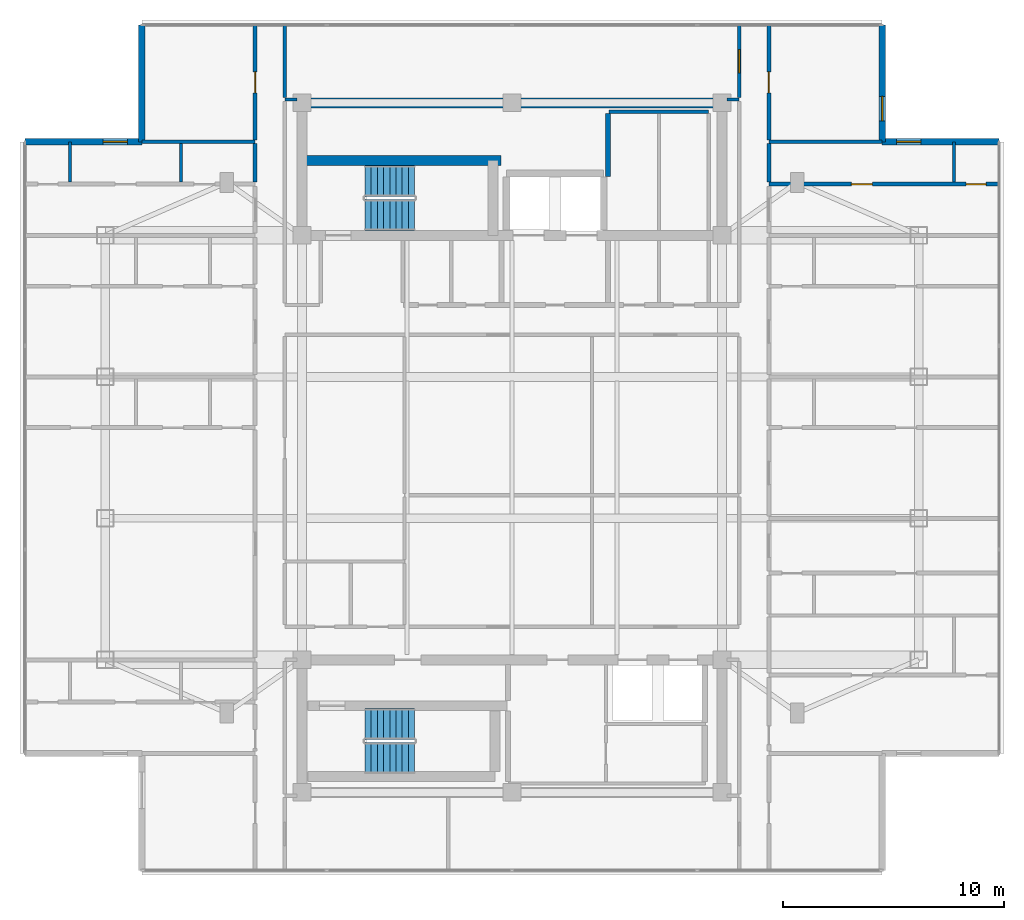
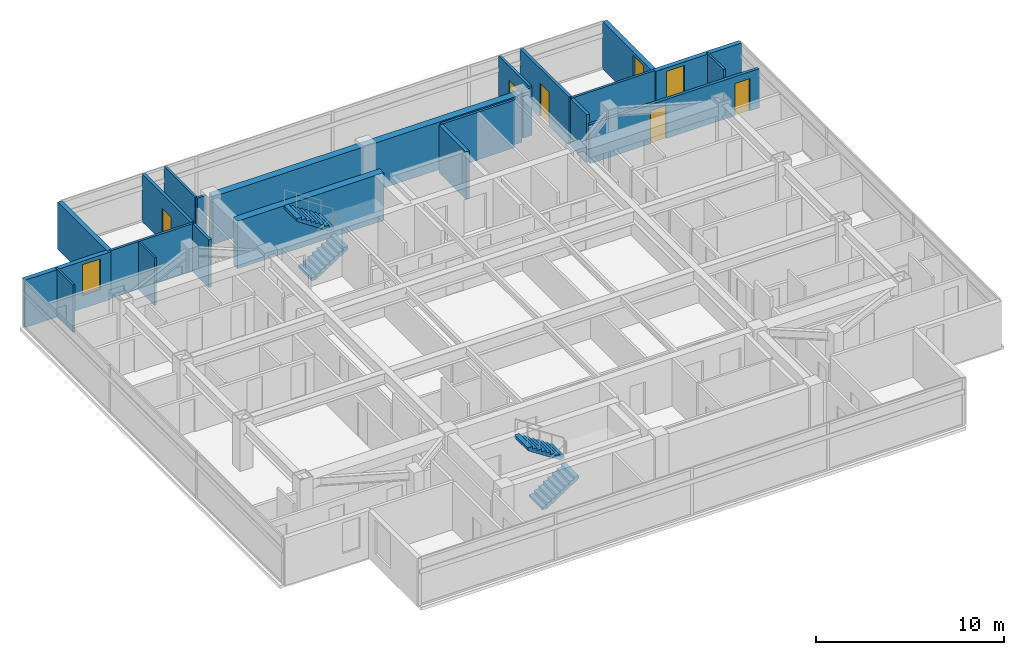
# One storey, part 11 of 14: 22 walls, 5 doors, 4 stair flights, 3 windows, 8 openings, 2 elements without a shape of their own.
"""IFC4 building model written with IfcOpenShell, lengths in metres."""

from ifc_helpers import new_model, si_unit, direction, frame, frame_2d, origin, place, context, subcontext, project, spatial, polyline, rectangle, outline, extrude, material, layer, layer_set, type_object, element, fill, aggregate, save


model = new_model("IFC4")

# Units and contexts
model_context = context("Model", 3, precision=1e-05, world=origin(), true_north=direction((0.0, 1.0)))
body_context = subcontext(model_context, "Body", "Model", "MODEL_VIEW")
ifc_project = project(units=[si_unit("LENGTHUNIT", "METRE"), si_unit("AREAUNIT", "SQUARE_METRE"), si_unit("VOLUMEUNIT", "CUBIC_METRE"), si_unit("PLANEANGLEUNIT", "RADIAN"), si_unit("MASSUNIT", "GRAM", prefix="KILO")], contexts=[model_context])

# Site, building, storey
site_placement = place(None, origin())
site = spatial("IfcSite", under=ifc_project, at=site_placement, CompositionType="ELEMENT")
building_placement = place(site_placement, origin())
building = spatial("IfcBuilding", under=site, at=building_placement, Name="Mirazonda Arch Towers", CompositionType="ELEMENT")
storey_placement = place(building_placement, frame((0.0, 0.0, 242.5)))
storey = spatial("IfcBuildingStorey", under=building, at=storey_placement, Name="L69", CompositionType="ELEMENT", Elevation=242.5)

# Walls
ifc_material_1 = material(Name="Concrete C50/60", Category="concrete")
ifc_layer_1 = layer(ifc_material_1, 0.449951171875, Name="WALL-CORE-450")
ifc_layer_set_1 = layer_set([ifc_layer_1], Name="Concrete C50/60")
wall_type_1 = type_object("IfcWallType", Name="WALL-CORE-450", PredefinedType="SHEAR", material=ifc_layer_set_1)
wall_1_placement = place(storey_placement, frame((11.0, 43.60009765625, 0.0), z_axis=(0.0, 0.0, 1.0), x_axis=(1.0, 0.0, 0.0)))
element("IfcWall", 1, at=wall_1_placement, inside=storey, type_object=wall_type_1, Name="L69 T1N-N Core Shear Wall", PredefinedType="SHEAR", context=body_context, shape_type="SweptSolid", body=[
    extrude(rectangle(XDim=19.0, YDim=0.449951171875, at=frame_2d((9.5, 0.0))), origin(), (0.0, 0.0, 1.0), 3.10009765625),
])
wall_2_placement = place(storey_placement, frame((11.0, 40.992919921875, 0.0), z_axis=(0.0, 0.0, 1.0), x_axis=(1.0, 0.0, 0.0)))
element("IfcWall", 2, at=wall_2_placement, inside=storey, type_object=wall_type_1, Name="L69 T1N-STN Core Shear Wall", PredefinedType="SHEAR", context=body_context, shape_type="SweptSolid", body=[
    extrude(rectangle(XDim=9.0, YDim=0.449951171875, at=frame_2d((4.5, 0.0))), origin(), (0.0, 0.0, 1.0), 3.10009765625),
])

# Wall, opening, window
ifc_material_2 = material(Name="Precast Concrete C40/50", Category="concrete")
ifc_layer_2 = layer(ifc_material_2, 0.280029296875, Name="WALL-EXT-WALL-280")
ifc_layer_set_2 = layer_set([ifc_layer_2], Name="Precast Concrete C40/50")
wall_type_2 = type_object("IfcWallType", Name="WALL-EXT-WALL-280", PredefinedType="SOLIDWALL", material=ifc_layer_set_2)
wall_3_placement = place(storey_placement, frame((37.25, 41.8359375, 0.0), z_axis=(0.0, 0.0, 1.0), x_axis=(0.0, 1.0, 0.0)))
wall_3 = element("IfcWall", 3, at=wall_3_placement, inside=storey, type_object=wall_type_2, Name="L69 T1 Notched NE Corner Wall WL-L69-T1-CNE", PredefinedType="SOLIDWALL", context=body_context, shape_type="SweptSolid", body=[
    extrude(rectangle(XDim=5.2900390625, YDim=0.280029296875, at=frame_2d((2.64501953125, 0.0))), origin(), (0.0, 0.0, 1.0), 3.080078125),
])
opening_1_placement = place(wall_3_placement, frame((0.949951171875, 0.0, 0.85009765625)))
opening_1 = element("IfcOpeningElement", 4, at=opening_1_placement, cuts=wall_3, Name="Opening WN-108", PredefinedType="OPENING", context=body_context, shape_type="SweptSolid", body=[
    extrude(rectangle(XDim=1.10009765625, YDim=2.0, at=frame_2d((0.550048828125, 1.0))), frame((0.0, 0.14990234375, 0.0), z_axis=(0.0, -1.0, 0.0), x_axis=(1.0, 0.0, 0.0)), (0.0, 0.0, 1.0), 0.300048828125),
])
ifc_material_3 = material(Name="Insulated Low-E Solar Glass", Category="glass")
window_type = type_object("IfcWindowType", Name="WIN-NOTCH-1100x2000", PartitioningType="SINGLE_PANEL", PredefinedType="WINDOW", material=ifc_material_3)
window_1_placement = place(opening_1_placement, origin())
window_1 = element("IfcWindow", 5, at=window_1_placement, inside=storey, type_object=window_type, Name="L69 Punched Facade Window WN-L69-T1-CNE", OverallHeight=2.0, OverallWidth=1.10009765625, PartitioningType="SINGLE_PANEL", PredefinedType="WINDOW", context=body_context, shape_type="SweptSolid", body=[
    extrude(rectangle(XDim=1.10009765625, YDim=2.0, at=frame_2d((0.550048828125, 1.0))), frame((0.0, 0.030029296875, 0.0), z_axis=(0.0, -1.0, 0.0), x_axis=(1.0, 0.0, 0.0)), (0.0, 0.0, 1.0), 0.06005859375),
])
fill(opening_1, window_1)

wall_4_placement = place(storey_placement, frame((3.75, 41.8359375, 0.0), z_axis=(0.0, 0.0, 1.0), x_axis=(-1.0, 0.0, 0.0)))
wall_4 = element("IfcWall", 6, at=wall_4_placement, inside=storey, type_object=wall_type_2, Name="L69 T1 Corner Notch Return Wall WL-L69-T1-CNW1", PredefinedType="SOLIDWALL", context=body_context, shape_type="SweptSolid", body=[
    extrude(rectangle(XDim=5.2900390625, YDim=0.280029296875, at=frame_2d((2.64501953125, 0.0))), origin(), (0.0, 0.0, 1.0), 3.080078125),
])
opening_2_placement = place(wall_4_placement, frame((0.64990234375, 0.0, 0.85009765625)))
opening_2 = element("IfcOpeningElement", 7, at=opening_2_placement, cuts=wall_4, Name="Opening WN-108", PredefinedType="OPENING", context=body_context, shape_type="SweptSolid", body=[
    extrude(rectangle(XDim=1.10009765625, YDim=2.0, at=frame_2d((0.550048828125, 1.0))), frame((0.0, 0.14990234375, 0.0), z_axis=(0.0, -1.0, 0.0), x_axis=(1.0, 0.0, 0.0)), (0.0, 0.0, 1.0), 0.300048828125),
])
window_2_placement = place(opening_2_placement, origin())
window_2 = element("IfcWindow", 8, at=window_2_placement, inside=storey, type_object=window_type, Name="L69 Punched Facade Window WN-L69-T1-CNW1", OverallHeight=2.0, OverallWidth=1.10009765625, PartitioningType="SINGLE_PANEL", PredefinedType="WINDOW", context=body_context, shape_type="SweptSolid", body=[
    extrude(rectangle(XDim=1.10009765625, YDim=2.0, at=frame_2d((0.550048828125, 1.0))), frame((0.0, 0.030029296875, 0.0), z_axis=(0.0, -1.0, 0.0), x_axis=(1.0, 0.0, 0.0)), (0.0, 0.0, 1.0), 0.06005859375),
])
fill(opening_2, window_2)

# Wall
wall_5_placement = place(storey_placement, frame((3.75, 47.1259765625, 0.0), z_axis=(0.0, 0.0, 1.0), x_axis=(0.0, -1.0, 0.0)))
element("IfcWall", 9, at=wall_5_placement, inside=storey, type_object=wall_type_2, Name="L69 T1 Corner Notch Return Wall WL-L69-T1-CNW2", PredefinedType="SOLIDWALL", context=body_context, shape_type="SweptSolid", body=[
    extrude(rectangle(XDim=5.2900390625, YDim=0.280029296875, at=frame_2d((2.64501953125, 0.0))), origin(), (0.0, 0.0, 1.0), 3.080078125),
])

# Wall, opening, window
wall_6_placement = place(storey_placement, frame((42.5400390625, 41.8359375, 0.0), z_axis=(0.0, 0.0, 1.0), x_axis=(-1.0, 0.0, 0.0)))
wall_6 = element("IfcWall", 10, at=wall_6_placement, inside=storey, type_object=wall_type_2, Name="L69 T1 Corner Notch Return Wall WL-L69-T1-CNE2", PredefinedType="SOLIDWALL", context=body_context, shape_type="SweptSolid", body=[
    extrude(rectangle(XDim=5.2900390625, YDim=0.280029296875, at=frame_2d((2.64501953125, 0.0))), origin(), (0.0, 0.0, 1.0), 3.080078125),
])
opening_3_placement = place(wall_6_placement, frame((3.5400390625, 0.0, 0.85009765625)))
opening_3 = element("IfcOpeningElement", 11, at=opening_3_placement, cuts=wall_6, Name="Opening WN-108", PredefinedType="OPENING", context=body_context, shape_type="SweptSolid", body=[
    extrude(rectangle(XDim=1.10009765625, YDim=2.0, at=frame_2d((0.550048828125, 1.0))), frame((0.0, 0.14990234375, 0.0), z_axis=(0.0, -1.0, 0.0), x_axis=(1.0, 0.0, 0.0)), (0.0, 0.0, 1.0), 0.300048828125),
])
window_3_placement = place(opening_3_placement, origin())
window_3 = element("IfcWindow", 12, at=window_3_placement, inside=storey, type_object=window_type, Name="L69 Punched Facade Window WN-L69-T1-CNE2", OverallHeight=2.0, OverallWidth=1.10009765625, PartitioningType="SINGLE_PANEL", PredefinedType="WINDOW", context=body_context, shape_type="SweptSolid", body=[
    extrude(rectangle(XDim=1.10009765625, YDim=2.0, at=frame_2d((0.550048828125, 1.0))), frame((0.0, 0.030029296875, 0.0), z_axis=(0.0, -1.0, 0.0), x_axis=(1.0, 0.0, 0.0)), (0.0, 0.0, 1.0), 0.06005859375),
])
fill(opening_3, window_3)

# Walls
ifc_material_4 = material(Name="Concrete C40/50", Category="concrete")
ifc_layer_3 = layer(ifc_material_4, 0.219970703125, Name="WALL-FFL-220")
ifc_layer_set_3 = layer_set([ifc_layer_3], Name="Concrete C40/50")
wall_type_3 = type_object("IfcWallType", Name="WALL-FFL-220", PredefinedType="SOLIDWALL", material=ifc_layer_set_3)
wall_7_placement = place(storey_placement, frame((24.85009765625, 40.260009765625, 0.0), z_axis=(0.0, 0.0, 1.0), x_axis=(0.0, 1.0, 0.0)))
element("IfcWall", 13, at=wall_7_placement, inside=storey, type_object=wall_type_3, Name="L69 Interior Partition 082", PredefinedType="SOLIDWALL", context=body_context, shape_type="SweptSolid", body=[
    extrude(rectangle(XDim=2.85498046875, YDim=0.219970703125, at=frame_2d((1.427490234375, 0.0))), origin(), (0.0, 0.0, 1.0), 3.10009765625),
])
ifc_material_5 = material(Name="Fire-Rated Gypsum Stud Partition")
ifc_layer_4 = layer(ifc_material_5, 0.14990234375, Name="WALL-PART-CORR-150")
ifc_layer_set_4 = layer_set([ifc_layer_4], Name="Fire-Rated Gypsum Stud Partition")
wall_type_4 = type_object("IfcWallType", Name="WALL-PART-CORR-150", PredefinedType="PARTITIONING", material=ifc_layer_set_4)
for number, where, z_axis, x_axis, name in (
    (14, (3.77001953125, 41.8359375, 0.0), (0.0, 0.0, 1.0), (1.0, 0.0, 0.0), "L69 Interior Partition 034"),
    (15, (32.1201171875, 41.8359375, 0.0), (0.0, 0.0, 1.0), (1.0, 0.0, 0.0), "L69 Interior Partition 035"),
):
    element("IfcWall", number, at=place(storey_placement, frame(where, z_axis=z_axis, x_axis=x_axis)), inside=storey, type_object=wall_type_4, Name=name, PredefinedType="PARTITIONING", context=body_context, shape_type="SweptSolid", body=[
        extrude(rectangle(XDim=5.10986328125, YDim=0.14990234375, at=frame_2d((2.554931640625, 0.0))), origin(), (0.0, 0.0, 1.0), 3.10009765625),
    ])
wall_8_placement = place(storey_placement, frame((24.89990234375, 43.199951171875, 0.0), z_axis=(0.0, 0.0, 1.0), x_axis=(1.0, 0.0, 0.0)))
element("IfcWall", 16, at=wall_8_placement, inside=storey, type_object=wall_type_4, Name="L69 Interior Partition 036", PredefinedType="PARTITIONING", context=body_context, shape_type="SweptSolid", body=[
    extrude(rectangle(XDim=4.5, YDim=0.14990234375, at=frame_2d((2.25, 0.0))), origin(), (0.0, 0.0, 1.0), 3.10009765625),
])
for number, where, z_axis, x_axis, name in (
    (17, (10.219970703125, 43.75, 0.0), (0.0, 0.0, 1.0), (1.0, 0.0, 0.0), "L69 Interior Partition 037"),
    (18, (30.219970703125, 43.75, 0.0), (0.0, 0.0, 1.0), (1.0, 0.0, 0.0), "L69 Interior Partition 038"),
):
    element("IfcWall", number, at=place(storey_placement, frame(where, z_axis=z_axis, x_axis=x_axis)), inside=storey, type_object=wall_type_4, Name=name, PredefinedType="PARTITIONING", context=body_context, shape_type="SweptSolid", body=[
        extrude(rectangle(XDim=0.56005859375, YDim=0.14990234375, at=frame_2d((0.280029296875, 0.0))), origin(), (0.0, 0.0, 1.0), 3.10009765625),
    ])
wall_9_placement = place(storey_placement, frame((10.219970703125, 43.8349609375, 0.0), z_axis=(0.0, 0.0, 1.0), x_axis=(0.0, 1.0, 0.0)))
element("IfcWall", 19, at=wall_9_placement, inside=storey, type_object=wall_type_4, Name="L69 Interior Partition 062", PredefinedType="PARTITIONING", context=body_context, shape_type="SweptSolid", body=[
    extrude(rectangle(XDim=3.291015625, YDim=0.14990234375, at=frame_2d((1.6455078125, 0.0))), origin(), (0.0, 0.0, 1.0), 3.10009765625),
])

# Wall, opening, door
wall_10_placement = place(storey_placement, frame((30.780029296875, 43.8349609375, 0.0), z_axis=(0.0, 0.0, 1.0), x_axis=(0.0, 1.0, 0.0)))
wall_10 = element("IfcWall", 20, at=wall_10_placement, inside=storey, type_object=wall_type_4, Name="L69 Interior Partition 094", PredefinedType="PARTITIONING", context=body_context, shape_type="SweptSolid", body=[
    extrude(rectangle(XDim=3.291015625, YDim=0.14990234375, at=frame_2d((1.6455078125, 0.0))), origin(), (0.0, 0.0, 1.0), 3.10009765625),
])
opening_4_placement = place(wall_10_placement, frame((1.12060546875, 0.0, 0.0)))
opening_4 = element("IfcOpeningElement", 21, at=opening_4_placement, cuts=wall_10, Name="Opening DR-121", PredefinedType="OPENING", context=body_context, shape_type="SweptSolid", body=[
    extrude(rectangle(XDim=1.050048828125, YDim=2.199951171875, at=frame_2d((0.52490234375, 1.10009765625))), frame((0.0, 0.0849609375, 0.0), z_axis=(0.0, -1.0, 0.0), x_axis=(1.0, 0.0, 0.0)), (0.0, 0.0, 1.0), 0.169921875),
])
ifc_material_6 = material(Name="Architectural Brushed Steel S355", Category="steel")
door_type_1 = type_object("IfcDoorType", Name="DOOR-SUITE-FD60-1050", OperationType="NOTDEFINED", PredefinedType="DOOR", material=ifc_material_6)
door_1_placement = place(opening_4_placement, origin())
door_1 = element("IfcDoor", 22, at=door_1_placement, inside=storey, type_object=door_type_1, Name="L69 North Bay Sunroom Suite Door", OperationType="SINGLE_SWING_LEFT", OverallHeight=2.199951171875, OverallWidth=1.050048828125, PredefinedType="DOOR", context=body_context, shape_type="SweptSolid", body=[
    extrude(rectangle(XDim=1.050048828125, YDim=2.199951171875, at=frame_2d((0.52490234375, 1.10009765625))), frame((0.0, 0.02490234375, 0.0), z_axis=(0.0, -1.0, 0.0), x_axis=(1.0, 0.0, 0.0)), (0.0, 0.0, 1.0), 0.050048828125),
])
fill(opening_4, door_1)

# Wall, openings, doors
ifc_material_7 = material(Name="Fire-Rated Gypsum Twin-Stud Assembly")
ifc_layer_5 = layer(ifc_material_7, 0.179931640625, Name="WALL-PART-DEMISE-180")
ifc_layer_set_5 = layer_set([ifc_layer_5], Name="Fire-Rated Gypsum Twin-Stud Assembly")
wall_type_5 = type_object("IfcWallType", Name="WALL-PART-DEMISE-180", PredefinedType="PARTITIONING", material=ifc_layer_set_5)
wall_11_placement = place(storey_placement, frame((32.1201171875, 39.916015625, 0.0), z_axis=(0.0, 0.0, 1.0), x_axis=(1.0, 0.0, 0.0)))
wall_11 = element("IfcWall", 23, at=wall_11_placement, inside=storey, type_object=wall_type_5, Name="L69 Interior Partition 032", PredefinedType="PARTITIONING", context=body_context, shape_type="SweptSolid", body=[
    extrude(rectangle(XDim=10.419921875, YDim=0.179931640625, at=frame_2d((5.2099609375, 0.0))), origin(), (0.0, 0.0, 1.0), 2.54296875),
])
opening_5_placement = place(wall_11_placement, frame((3.735107421875, 0.0, 0.0)))
opening_5 = element("IfcOpeningElement", 24, at=opening_5_placement, cuts=wall_11, Name="Opening DR-104", PredefinedType="OPENING", context=body_context, shape_type="SweptSolid", body=[
    extrude(rectangle(XDim=0.949951171875, YDim=2.14990234375, at=frame_2d((0.47509765625, 1.074951171875))), frame((0.0, 0.099853515625, 0.0), z_axis=(0.0, -1.0, 0.0), x_axis=(1.0, 0.0, 0.0)), (0.0, 0.0, 1.0), 0.199951171875),
])
opening_6_placement = place(wall_11_placement, frame((8.929931640625, 0.0, 0.0)))
opening_6 = element("IfcOpeningElement", 25, at=opening_6_placement, cuts=wall_11, Name="Opening DR-120", PredefinedType="OPENING", context=body_context, shape_type="SweptSolid", body=[
    extrude(rectangle(XDim=0.89990234375, YDim=2.10009765625, at=frame_2d((0.449951171875, 1.050048828125))), frame((0.0, 0.099853515625, 0.0), z_axis=(0.0, -1.0, 0.0), x_axis=(1.0, 0.0, 0.0)), (0.0, 0.0, 1.0), 0.199951171875),
])
door_type_2 = type_object("IfcDoorType", Name="DOOR-ROOM-950", OperationType="NOTDEFINED", PredefinedType="DOOR", material=ifc_material_6)
door_2_placement = place(opening_5_placement, origin())
door_2 = element("IfcDoor", 26, at=door_2_placement, inside=storey, type_object=door_type_2, Name="L69 Studio 5 Galley Kitchen Door", OperationType="SINGLE_SWING_LEFT", OverallHeight=2.14990234375, OverallWidth=0.949951171875, PredefinedType="DOOR", context=body_context, shape_type="SweptSolid", body=[
    extrude(rectangle(XDim=0.949951171875, YDim=2.14990234375, at=frame_2d((0.47509765625, 1.074951171875))), frame((0.0, 0.02490234375, 0.0), z_axis=(0.0, -1.0, 0.0), x_axis=(1.0, 0.0, 0.0)), (0.0, 0.0, 1.0), 0.050048828125),
])
fill(opening_5, door_2)
door_type_3 = type_object("IfcDoorType", Name="DOOR-WC-900", OperationType="NOTDEFINED", PredefinedType="DOOR", material=ifc_material_6)
door_3_placement = place(opening_6_placement, origin())
door_3 = element("IfcDoor", 27, at=door_3_placement, inside=storey, type_object=door_type_3, Name="L69 Studio 5 Bathroom Door", OperationType="SINGLE_SWING_RIGHT", OverallHeight=2.10009765625, OverallWidth=0.89990234375, PredefinedType="DOOR", context=body_context, shape_type="SweptSolid", body=[
    extrude(rectangle(XDim=0.89990234375, YDim=2.10009765625, at=frame_2d((0.449951171875, 1.050048828125))), frame((0.0, 0.02490234375, 0.0), z_axis=(0.0, -1.0, 0.0), x_axis=(1.0, 0.0, 0.0)), (0.0, 0.0, 1.0), 0.050048828125),
])
fill(opening_6, door_3)

# Wall
wall_12_placement = place(storey_placement, frame((8.8798828125, 40.01611328125, 0.0), z_axis=(0.0, 0.0, 1.0), x_axis=(0.0, 1.0, 0.0)))
element("IfcWall", 28, at=wall_12_placement, inside=storey, type_object=wall_type_5, Name="L69 Interior Partition 055", PredefinedType="PARTITIONING", context=body_context, shape_type="SweptSolid", body=[
    extrude(rectangle(XDim=1.73486328125, YDim=0.179931640625, at=frame_2d((0.867431640625, 0.0))), origin(), (0.0, 0.0, 1.0), 3.10009765625),
])

# Wall, opening, door
wall_13_placement = place(storey_placement, frame((8.8798828125, 41.9208984375, 0.0), z_axis=(0.0, 0.0, 1.0), x_axis=(0.0, 1.0, 0.0)))
wall_13 = element("IfcWall", 29, at=wall_13_placement, inside=storey, type_object=wall_type_5, Name="L69 Interior Partition 056", PredefinedType="PARTITIONING", context=body_context, shape_type="SweptSolid", body=[
    extrude(rectangle(XDim=5.205078125, YDim=0.179931640625, at=frame_2d((2.6025390625, 0.0))), origin(), (0.0, 0.0, 1.0), 3.10009765625),
])
opening_7_placement = place(wall_13_placement, frame((2.12744140625, 0.0, 0.0)))
opening_7 = element("IfcOpeningElement", 30, at=opening_7_placement, cuts=wall_13, Name="Opening DR-104", PredefinedType="OPENING", context=body_context, shape_type="SweptSolid", body=[
    extrude(rectangle(XDim=0.949951171875, YDim=2.14990234375, at=frame_2d((0.47509765625, 1.074951171875))), frame((0.0, 0.099853515625, 0.0), z_axis=(0.0, -1.0, 0.0), x_axis=(1.0, 0.0, 0.0)), (0.0, 0.0, 1.0), 0.199951171875),
])
door_4_placement = place(opening_7_placement, origin())
door_4 = element("IfcDoor", 31, at=door_4_placement, inside=storey, type_object=door_type_2, Name="L69 North Bay Sunroom Alcove West Door", OperationType="SINGLE_SWING_RIGHT", OverallHeight=2.14990234375, OverallWidth=0.949951171875, PredefinedType="DOOR", context=body_context, shape_type="SweptSolid", body=[
    extrude(rectangle(XDim=0.949951171875, YDim=2.14990234375, at=frame_2d((0.47509765625, 1.074951171875))), frame((0.0, 0.02490234375, 0.0), z_axis=(0.0, -1.0, 0.0), x_axis=(1.0, 0.0, 0.0)), (0.0, 0.0, 1.0), 0.050048828125),
])
fill(opening_7, door_4)

# Wall
wall_14_placement = place(storey_placement, frame((32.1201171875, 40.01611328125, 0.0), z_axis=(0.0, 0.0, 1.0), x_axis=(0.0, 1.0, 0.0)))
element("IfcWall", 32, at=wall_14_placement, inside=storey, type_object=wall_type_5, Name="L69 Interior Partition 105", PredefinedType="PARTITIONING", context=body_context, shape_type="SweptSolid", body=[
    extrude(rectangle(XDim=1.73486328125, YDim=0.179931640625, at=frame_2d((0.867431640625, 0.0))), origin(), (0.0, 0.0, 1.0), 3.10009765625),
])

# Wall, opening, door
wall_15_placement = place(storey_placement, frame((32.1201171875, 41.9208984375, 0.0), z_axis=(0.0, 0.0, 1.0), x_axis=(0.0, 1.0, 0.0)))
wall_15 = element("IfcWall", 33, at=wall_15_placement, inside=storey, type_object=wall_type_5, Name="L69 Interior Partition 106", PredefinedType="PARTITIONING", context=body_context, shape_type="SweptSolid", body=[
    extrude(rectangle(XDim=5.205078125, YDim=0.179931640625, at=frame_2d((2.6025390625, 0.0))), origin(), (0.0, 0.0, 1.0), 3.10009765625),
])
opening_8_placement = place(wall_15_placement, frame((2.12744140625, 0.0, 0.0)))
opening_8 = element("IfcOpeningElement", 34, at=opening_8_placement, cuts=wall_15, Name="Opening DR-104", PredefinedType="OPENING", context=body_context, shape_type="SweptSolid", body=[
    extrude(rectangle(XDim=0.949951171875, YDim=2.14990234375, at=frame_2d((0.47509765625, 1.074951171875))), frame((0.0, 0.099853515625, 0.0), z_axis=(0.0, -1.0, 0.0), x_axis=(1.0, 0.0, 0.0)), (0.0, 0.0, 1.0), 0.199951171875),
])
door_5_placement = place(opening_8_placement, origin())
door_5 = element("IfcDoor", 35, at=door_5_placement, inside=storey, type_object=door_type_2, Name="L69 North Bay Sunroom Alcove East Door", OperationType="SINGLE_SWING_LEFT", OverallHeight=2.14990234375, OverallWidth=0.949951171875, PredefinedType="DOOR", context=body_context, shape_type="SweptSolid", body=[
    extrude(rectangle(XDim=0.949951171875, YDim=2.14990234375, at=frame_2d((0.47509765625, 1.074951171875))), frame((0.0, 0.02490234375, 0.0), z_axis=(0.0, -1.0, 0.0), x_axis=(1.0, 0.0, 0.0)), (0.0, 0.0, 1.0), 0.050048828125),
])
fill(opening_8, door_5)

# Walls
ifc_material_8 = material(Name="Acoustic Fire-Rated Gypsum Partition")
ifc_layer_6 = layer(ifc_material_8, 0.125, Name="WALL-PART-UNIT-125")
ifc_layer_set_6 = layer_set([ifc_layer_6], Name="Acoustic Fire-Rated Gypsum Partition")
wall_type_6 = type_object("IfcWallType", Name="WALL-PART-UNIT-125", PredefinedType="PARTITIONING", material=ifc_layer_set_6)
wall_16_placement = place(storey_placement, frame((0.5, 40.01611328125, 0.0), z_axis=(0.0, 0.0, 1.0), x_axis=(0.0, 1.0, 0.0)))
element("IfcWall", 36, at=wall_16_placement, inside=storey, type_object=wall_type_6, Name="L69 Interior Partition 040", PredefinedType="PARTITIONING", context=body_context, shape_type="SweptSolid", body=[
    extrude(rectangle(XDim=1.81982421875, YDim=0.125, at=frame_2d((0.909912109375, 0.0))), origin(), (0.0, 0.0, 1.0), 3.10009765625),
])
wall_17_placement = place(storey_placement, frame((5.528076171875, 40.01611328125, 0.0), z_axis=(0.0, 0.0, 1.0), x_axis=(0.0, 1.0, 0.0)))
element("IfcWall", 37, at=wall_17_placement, inside=storey, type_object=wall_type_6, Name="L69 Interior Partition 044", PredefinedType="PARTITIONING", context=body_context, shape_type="SweptSolid", body=[
    extrude(rectangle(XDim=1.73486328125, YDim=0.125, at=frame_2d((0.867431640625, 0.0))), origin(), (0.0, 0.0, 1.0), 3.10009765625),
])
wall_18_placement = place(storey_placement, frame((40.5, 40.01611328125, 0.0), z_axis=(0.0, 0.0, 1.0), x_axis=(0.0, 1.0, 0.0)))
element("IfcWall", 38, at=wall_18_placement, inside=storey, type_object=wall_type_6, Name="L69 Interior Partition 111", PredefinedType="PARTITIONING", context=body_context, shape_type="SweptSolid", body=[
    extrude(rectangle(XDim=1.81982421875, YDim=0.125, at=frame_2d((0.909912109375, 0.0))), origin(), (0.0, 0.0, 1.0), 3.10009765625),
])

# Stair, stair flights
stair_type = type_object("IfcStairType", Name="STAIR-CORE-1400", PredefinedType="HALF_TURN_STAIR", material=ifc_material_4)
stair_1_placement = place(storey_placement, origin())
stair_1 = element("IfcStair", 39, at=stair_1_placement, inside=storey, type_object=stair_type, Name="L69 Protected Exit Stair ST-T1N", PredefinedType="HALF_TURN_STAIR")
stair_flight_type = type_object("IfcStairFlightType", Name="FLIGHT-1400", PredefinedType="STRAIGHT", material=ifc_material_4)
stair_flight_1_placement = place(storey_placement, frame((13.85009765625, 38.52001953125, 0.0), z_axis=(0.0, 0.0, 1.0), x_axis=(1.0, 0.0, 0.0)))
stair_flight_1 = element("IfcStairFlight", 40, at=stair_flight_1_placement, type_object=stair_flight_type, Name="ST-T1N flight 1", NumberOfRisers=9, NumberOfTreads=8, PredefinedType="STRAIGHT", RiserHeight=0.183333333, TreadLength=0.28, context=body_context, shape_type="SweptSolid", body=[
    extrude(outline(polyline([(0.0, 0.0), (0.0, 0.183349609375), (0.280029296875, 0.183349609375), (0.280029296875, 0.36669921875), (0.56005859375, 0.36669921875), (0.56005859375, 0.550048828125), (0.840087890625, 0.550048828125), (0.840087890625, 0.7333984375), (1.1201171875, 0.7333984375), (1.1201171875, 0.916748046875), (1.39990234375, 0.916748046875), (1.39990234375, 1.10009765625), (1.679931640625, 1.10009765625), (1.679931640625, 1.283447265625), (1.9599609375, 1.283447265625), (1.9599609375, 1.466552734375), (2.239990234375, 1.466552734375), (2.239990234375, 1.64990234375), (2.239990234375, 1.275634765625), (0.2919921875, 0.0), (0.0, 0.0)])), frame((0.0, 0.699951171875, 0.0), z_axis=(0.0, -1.0, 0.0), x_axis=(1.0, 0.0, 0.0)), (0.0, 0.0, 1.0), 1.39990234375),
])
stair_flight_2_placement = place(storey_placement, frame((16.090087890625, 40.06005859375, 1.64990234375), z_axis=(0.0, 0.0, 1.0), x_axis=(-1.0, 0.0, 0.0)))
stair_flight_2 = element("IfcStairFlight", 41, at=stair_flight_2_placement, type_object=stair_flight_type, Name="ST-T1N flight 2", NumberOfRisers=9, NumberOfTreads=8, PredefinedType="STRAIGHT", RiserHeight=0.183333333, TreadLength=0.28, context=body_context, shape_type="SweptSolid", body=[
    extrude(outline(polyline([(0.0, 0.0), (0.0, 0.183349609375), (0.280029296875, 0.183349609375), (0.280029296875, 0.36669921875), (0.56005859375, 0.36669921875), (0.56005859375, 0.550048828125), (0.840087890625, 0.550048828125), (0.840087890625, 0.7333984375), (1.1201171875, 0.7333984375), (1.1201171875, 0.916748046875), (1.39990234375, 0.916748046875), (1.39990234375, 1.10009765625), (1.679931640625, 1.10009765625), (1.679931640625, 1.283447265625), (1.9599609375, 1.283447265625), (1.9599609375, 1.466552734375), (2.239990234375, 1.466552734375), (2.239990234375, 1.64990234375), (2.239990234375, 1.275634765625), (0.2919921875, 0.0), (0.0, 0.0)])), frame((0.0, 0.699951171875, 0.0), z_axis=(0.0, -1.0, 0.0), x_axis=(1.0, 0.0, 0.0)), (0.0, 0.0, 1.0), 1.39990234375),
])
aggregate(stair_1, [stair_flight_1, stair_flight_2])

stair_2_placement = place(storey_placement, origin())
stair_2 = element("IfcStair", 42, at=stair_2_placement, inside=storey, type_object=stair_type, Name="L69 Protected Exit Stair ST-T1S", PredefinedType="HALF_TURN_STAIR")
stair_flight_3_placement = place(storey_placement, frame((13.85009765625, 13.949951171875, 0.0), z_axis=(0.0, 0.0, 1.0), x_axis=(1.0, 0.0, 0.0)))
stair_flight_3 = element("IfcStairFlight", 43, at=stair_flight_3_placement, type_object=stair_flight_type, Name="ST-T1S flight 1", NumberOfRisers=9, NumberOfTreads=8, PredefinedType="STRAIGHT", RiserHeight=0.183333333, TreadLength=0.28, context=body_context, shape_type="SweptSolid", body=[
    extrude(outline(polyline([(0.0, 0.0), (0.0, 0.183349609375), (0.280029296875, 0.183349609375), (0.280029296875, 0.36669921875), (0.56005859375, 0.36669921875), (0.56005859375, 0.550048828125), (0.840087890625, 0.550048828125), (0.840087890625, 0.7333984375), (1.1201171875, 0.7333984375), (1.1201171875, 0.916748046875), (1.39990234375, 0.916748046875), (1.39990234375, 1.10009765625), (1.679931640625, 1.10009765625), (1.679931640625, 1.283447265625), (1.9599609375, 1.283447265625), (1.9599609375, 1.466552734375), (2.239990234375, 1.466552734375), (2.239990234375, 1.64990234375), (2.239990234375, 1.275634765625), (0.2919921875, 0.0), (0.0, 0.0)])), frame((0.0, 0.699951171875, 0.0), z_axis=(0.0, -1.0, 0.0), x_axis=(1.0, 0.0, 0.0)), (0.0, 0.0, 1.0), 1.39990234375),
])
stair_flight_4_placement = place(storey_placement, frame((16.090087890625, 15.489990234375, 1.64990234375), z_axis=(0.0, 0.0, 1.0), x_axis=(-1.0, 0.0, 0.0)))
stair_flight_4 = element("IfcStairFlight", 44, at=stair_flight_4_placement, type_object=stair_flight_type, Name="ST-T1S flight 2", NumberOfRisers=9, NumberOfTreads=8, PredefinedType="STRAIGHT", RiserHeight=0.183333333, TreadLength=0.28, context=body_context, shape_type="SweptSolid", body=[
    extrude(outline(polyline([(0.0, 0.0), (0.0, 0.183349609375), (0.280029296875, 0.183349609375), (0.280029296875, 0.36669921875), (0.56005859375, 0.36669921875), (0.56005859375, 0.550048828125), (0.840087890625, 0.550048828125), (0.840087890625, 0.7333984375), (1.1201171875, 0.7333984375), (1.1201171875, 0.916748046875), (1.39990234375, 0.916748046875), (1.39990234375, 1.10009765625), (1.679931640625, 1.10009765625), (1.679931640625, 1.283447265625), (1.9599609375, 1.283447265625), (1.9599609375, 1.466552734375), (2.239990234375, 1.466552734375), (2.239990234375, 1.64990234375), (2.239990234375, 1.275634765625), (0.2919921875, 0.0), (0.0, 0.0)])), frame((0.0, 0.699951171875, 0.0), z_axis=(0.0, -1.0, 0.0), x_axis=(1.0, 0.0, 0.0)), (0.0, 0.0, 1.0), 1.39990234375),
])
aggregate(stair_2, [stair_flight_3, stair_flight_4])

save(model, "model.ifc")
